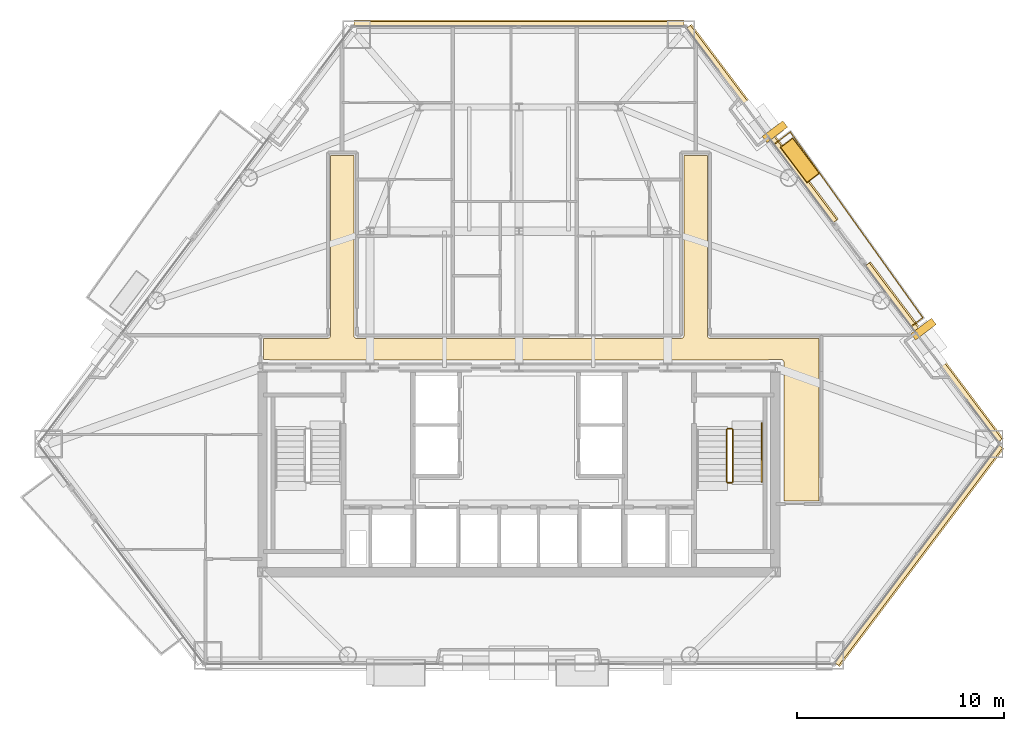
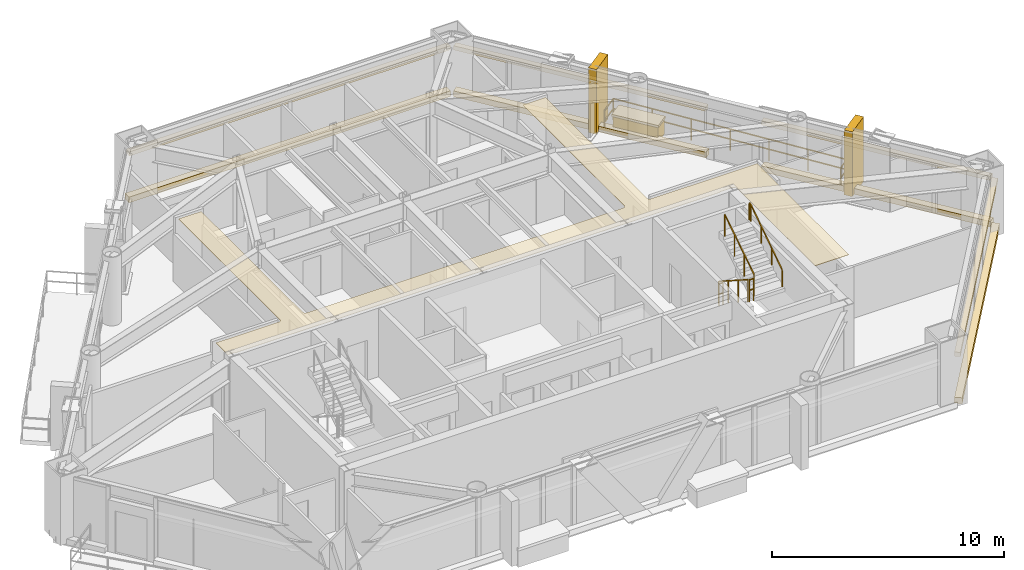
# One storey, part 11 of 11: 13 coverings, 6 railings.
"""IFC4 building model written with IfcOpenShell, lengths in metres."""

from ifc_helpers import new_model, si_unit, direction, frame, origin, origin_2d, place, context, subcontext, project, spatial, polyline, rectangle, outline, extrude, material, layer, layer_set, type_object, element, save


model = new_model("IFC4")

# Units and contexts
model_context = context("Model", 3, precision=1e-05, world=origin(), true_north=direction((0.0, 1.0)))
body_context = subcontext(model_context, "Body", "Model", "MODEL_VIEW")
ifc_project = project(units=[si_unit("LENGTHUNIT", "METRE"), si_unit("AREAUNIT", "SQUARE_METRE"), si_unit("VOLUMEUNIT", "CUBIC_METRE"), si_unit("PLANEANGLEUNIT", "RADIAN"), si_unit("MASSUNIT", "GRAM", prefix="KILO")], contexts=[model_context])

# Site, building, storey
site_placement = place(None, origin())
site = spatial("IfcSite", under=ifc_project, at=site_placement, CompositionType="ELEMENT")
building_placement = place(site_placement, origin())
building = spatial("IfcBuilding", under=site, at=building_placement, Name="Talgorran Terracotta Tower", CompositionType="ELEMENT")
storey_placement = place(building_placement, frame((0.0, 0.0, 38.699951171875)))
storey = spatial("IfcBuildingStorey", under=building, at=storey_placement, Name="L09", CompositionType="ELEMENT", Elevation=38.699951171875)

# Coverings
ifc_material_1 = material(Name="Kiln-Fired Terracotta Ochre Ceramic", Category="masonry")
ifc_layer_1 = layer(ifc_material_1, 0.179931640625, Name="COV_BAGUETTE_TERRACOTTA_SCREEN")
ifc_layer_set_1 = layer_set([ifc_layer_1], Name="Kiln-Fired Terracotta Ochre Ceramic")
covering_type_1 = type_object("IfcCoveringType", Name="COV_BAGUETTE_TERRACOTTA_SCREEN", PredefinedType="CLADDING", material=ifc_layer_set_1)
covering_1_placement = place(storey_placement, frame((19.33154296875, -13.274169921875, 2.41015625), z_axis=(0.0, 0.0, 1.0), x_axis=(0.601633803014, 0.798772036986, 0.0)))
element("IfcCovering", 1, at=covering_1_placement, inside=storey, type_object=covering_type_1, Name="L09 Terracotta Baguette Solar Screen Assembly F2", PredefinedType="CLADDING", context=body_context, shape_type="SweptSolid", body=[
    extrude(rectangle(XDim=13.184326171875, YDim=0.260009765625, at=origin_2d()), origin(), (0.0, 0.0, 1.0), 0.219970703125),
])
covering_2_placement = place(storey_placement, frame((20.060791015625, -3.47900390625, 2.41015625), z_axis=(0.0, 0.0, 1.0), x_axis=(-0.601633803014, 0.798772036986, 0.0)))
element("IfcCovering", 2, at=covering_2_placement, inside=storey, type_object=covering_type_1, Name="L09 Terracotta Baguette Solar Screen Assembly F40", PredefinedType="CLADDING", context=body_context, shape_type="SweptSolid", body=[
    extrude(rectangle(XDim=10.6796875, YDim=0.260009765625, at=origin_2d()), origin(), (0.0, 0.0, 1.0), 0.219970703125),
])
covering_3_placement = place(storey_placement, frame((11.738525390625, 7.570556640625, 2.41015625), z_axis=(0.0, 0.0, 1.0), x_axis=(-0.601633803014, 0.798772036986, 0.0)))
element("IfcCovering", 3, at=covering_3_placement, inside=storey, type_object=covering_type_1, Name="L09 Terracotta Baguette Solar Screen Assembly F41", PredefinedType="CLADDING", context=body_context, shape_type="SweptSolid", body=[
    extrude(rectangle(XDim=11.78662109375, YDim=0.260009765625, at=origin_2d()), origin(), (0.0, 0.0, 1.0), 0.219970703125),
])
covering_4_placement = place(storey_placement, frame((0.0, 12.40576171875, 2.41015625), z_axis=(0.0, 0.0, 1.0), x_axis=(-1.0, 0.0, 0.0)))
element("IfcCovering", 4, at=covering_4_placement, inside=storey, type_object=covering_type_1, Name="L09 Terracotta Baguette Solar Screen Assembly F4", PredefinedType="CLADDING", context=body_context, shape_type="SweptSolid", body=[
    extrude(rectangle(XDim=15.953857421875, YDim=0.260009765625, at=origin_2d()), origin(), (0.0, 0.0, 1.0), 0.219970703125),
])
ifc_material_2 = material(Name="Mineral Fibre Acoustic Tile")
ifc_layer_2 = layer(ifc_material_2, 0.02490234375, Name="COV_CEIL_ACOUSTIC")
ifc_layer_set_2 = layer_set([ifc_layer_2], Name="Mineral Fibre Acoustic Tile")
covering_type_2 = type_object("IfcCoveringType", Name="COV_CEIL_ACOUSTIC", PredefinedType="CEILING", material=ifc_layer_set_2)
covering_5_placement = place(storey_placement, frame((0.0, 0.0, 3.260009765625)))
element("IfcCovering", 5, at=covering_5_placement, inside=storey, type_object=covering_type_2, Name="CEIL-L09-2", PredefinedType="CEILING", context=body_context, shape_type="SweptSolid", body=[
    extrude(outline(polyline([(-12.034423828125, -3.844970703125), (-12.03515625, -3.843994140625), (-12.0439453125, -3.836181640625), (-12.05322265625, -3.8291015625), (-12.0634765625, -3.8232421875), (-12.07421875, -3.818115234375), (-12.085205078125, -3.814208984375), (-12.0966796875, -3.811279296875), (-12.108154296875, -3.8095703125), (-12.1201171875, -3.80908203125), (-12.364990234375, -3.80908203125), (-12.364990234375, -2.784912109375), (-9.25, -2.784912109375), (-9.23828125, -2.784423828125), (-9.226806640625, -2.78271484375), (-9.21533203125, -2.77978515625), (-9.20703125, -2.77734375), (-9.196044921875, -2.7734375), (-9.185302734375, -2.768310546875), (-9.17529296875, -2.762451171875), (-9.165771484375, -2.75537109375), (-9.156982421875, -2.74755859375), (-9.149169921875, -2.73876953125), (-9.1435546875, -2.73193359375), (-9.136474609375, -2.722412109375), (-9.13037109375, -2.71240234375), (-9.125244140625, -2.70166015625), (-9.121337890625, -2.690673828125), (-9.118408203125, -2.67919921875), (-9.11669921875, -2.66748046875), (-9.1162109375, -2.65576171875), (-9.114990234375, 6.06494140625), (-7.985107421875, 6.06494140625), (-7.985107421875, -2.64990234375), (-7.984375, -2.66162109375), (-7.982666015625, -2.67333984375), (-7.97998046875, -2.6845703125), (-7.977294921875, -2.69287109375), (-7.973388671875, -2.7041015625), (-7.968505859375, -2.714599609375), (-7.96240234375, -2.724853515625), (-7.955322265625, -2.734375), (-7.947509765625, -2.742919921875), (-7.938720703125, -2.7509765625), (-7.931884765625, -2.756591796875), (-7.922607421875, -2.763671875), (-7.912353515625, -2.769775390625), (-7.901611328125, -2.774658203125), (-7.890625, -2.77880859375), (-7.879150390625, -2.781494140625), (-7.867431640625, -2.783203125), (-7.855712890625, -2.783935546875), (7.85009765625, -2.784912109375), (7.86181640625, -2.784423828125), (7.873291015625, -2.78271484375), (7.884521484375, -2.77978515625), (7.892822265625, -2.77734375), (7.904052734375, -2.7734375), (7.914794921875, -2.768310546875), (7.9248046875, -2.762451171875), (7.934326171875, -2.75537109375), (7.943115234375, -2.74755859375), (7.950927734375, -2.73876953125), (7.95654296875, -2.73193359375), (7.963623046875, -2.722412109375), (7.9697265625, -2.71240234375), (7.974609375, -2.70166015625), (7.978759765625, -2.690673828125), (7.981689453125, -2.67919921875), (7.9833984375, -2.66748046875), (7.98388671875, -2.65576171875), (7.985107421875, 6.06494140625), (9.114990234375, 6.06494140625), (9.114990234375, -2.64990234375), (9.115478515625, -2.66162109375), (9.1171875, -2.67333984375), (9.1201171875, -2.6845703125), (9.12255859375, -2.69287109375), (9.12646484375, -2.7041015625), (9.131591796875, -2.714599609375), (9.1376953125, -2.724853515625), (9.14453125, -2.734375), (9.152587890625, -2.742919921875), (9.1611328125, -2.7509765625), (9.16796875, -2.756591796875), (9.177490234375, -2.763671875), (9.1875, -2.769775390625), (9.1982421875, -2.774658203125), (9.20947265625, -2.77880859375), (9.220703125, -2.781494140625), (9.232421875, -2.783203125), (9.244384765625, -2.783935546875), (14.514892578125, -2.784912109375), (14.514892578125, -10.6650390625), (12.8349609375, -10.6650390625), (12.834716796875, -3.97705078125), (12.833984375, -3.96533203125), (12.83251953125, -3.953857421875), (12.82958984375, -3.9423828125), (12.82568359375, -3.931396484375), (12.820556640625, -3.920654296875), (12.81640625, -3.9130859375), (12.810302734375, -3.90283203125), (12.803466796875, -3.893310546875), (12.79541015625, -3.884521484375), (12.78857421875, -3.87841796875), (12.785888671875, -3.872314453125), (12.77978515625, -3.8623046875), (12.772705078125, -3.852783203125), (12.764892578125, -3.843994140625), (12.756103515625, -3.836181640625), (12.74658203125, -3.8291015625), (12.736572265625, -3.8232421875), (12.725830078125, -3.818115234375), (12.71484375, -3.814208984375), (12.703369140625, -3.811279296875), (12.69189453125, -3.8095703125), (12.679931640625, -3.80908203125), (12.1201171875, -3.80908203125), (12.108154296875, -3.8095703125), (12.0966796875, -3.811279296875), (12.085205078125, -3.814208984375), (12.07421875, -3.818115234375), (12.0634765625, -3.8232421875), (12.05322265625, -3.8291015625), (12.0439453125, -3.836181640625), (12.03515625, -3.843994140625), (12.034423828125, -3.844970703125), (7.432861328125, -3.844970703125), (6.968017578125, -3.843017578125), (6.967529296875, -3.843017578125), (0.232666015625, -3.844970703125), (-0.23193359375, -3.843017578125), (-0.232421875, -3.843017578125), (-6.96728515625, -3.844970703125), (-7.431884765625, -3.843017578125), (-7.4326171875, -3.843017578125), (-12.034423828125, -3.844970703125)])), origin(), (0.0, 0.0, 1.0), 0.02001953125),
])
ifc_material_3 = material(Name="Honed Limestone and Terracotta Planter", Category="masonry")
ifc_layer_3 = layer(ifc_material_3, 0.1201171875, Name="COV_PLANTER_BOX")
ifc_layer_set_3 = layer_set([ifc_layer_3], Name="Honed Limestone and Terracotta Planter")
covering_type_3 = type_object("IfcCoveringType", Name="COV_PLANTER_BOX", PredefinedType="CLADDING", material=ifc_layer_set_3)
covering_6_placement = place(storey_placement, frame((13.595458984375, 5.828125, -0.02001953125), z_axis=(0.0, 0.0, 1.0), x_axis=(-0.601633803014, 0.798772036986, 0.0)))
element("IfcCovering", 6, at=covering_6_placement, inside=storey, type_object=covering_type_3, Name="L09 Staggered Balcony Planter Box BAL-NE", PredefinedType="CLADDING", context=body_context, shape_type="SweptSolid", body=[
    extrude(rectangle(XDim=2.10009765625, YDim=0.719970703125, at=origin_2d()), origin(), (0.0, 0.0, 1.0), 0.860107421875),
])
ifc_material_4 = material(Name="Kiln-Fired Terracotta Planter Rim", Category="masonry")
ifc_layer_4 = layer(ifc_material_4, 0.10009765625, Name="COV_PLANTER_RIM")
ifc_layer_set_4 = layer_set([ifc_layer_4], Name="Kiln-Fired Terracotta Planter Rim")
covering_type_4 = type_object("IfcCoveringType", Name="COV_PLANTER_RIM", PredefinedType="CLADDING", material=ifc_layer_set_4)
covering_7_placement = place(storey_placement, frame((13.595458984375, 5.828125, 0.800048828125), z_axis=(0.0, 0.0, 1.0), x_axis=(-0.601633803014, 0.798772036986, 0.0)))
element("IfcCovering", 7, at=covering_7_placement, inside=storey, type_object=covering_type_4, Name="L09 Balcony Planter Terracotta Rim BAL-NE", PredefinedType="CLADDING", context=body_context, shape_type="SweptSolid", body=[
    extrude(rectangle(XDim=2.179931640625, YDim=0.780029296875, at=origin_2d()), origin(), (0.0, 0.0, 1.0), 0.1201171875),
])
ifc_material_5 = material(Name="Honed Limestone Cladding", Category="masonry")
ifc_layer_5 = layer(ifc_material_5, 0.094970703125, Name="COV_PORTAL_LIME")
ifc_layer_set_5 = layer_set([ifc_layer_5], Name="Honed Limestone Cladding")
covering_type_5 = type_object("IfcCoveringType", Name="COV_PORTAL_LIME", PredefinedType="CLADDING", material=ifc_layer_set_5)
covering_8_placement = place(storey_placement, frame((19.578369140625, -2.339599609375, -0.0498046875), z_axis=(0.0, 0.0, 1.0), x_axis=(-0.601633803014, 0.798772036986, 0.0)))
element("IfcCovering", 8, at=covering_8_placement, inside=storey, type_object=covering_type_5, Name="L09 White Striped Portal Fin F3-1", PredefinedType="CLADDING", context=body_context, shape_type="SweptSolid", body=[
    extrude(rectangle(XDim=0.3798828125, YDim=1.25, at=origin_2d()), origin(), (0.0, 0.0, 1.0), 3.39990234375),
])
ifc_material_6 = material(Name="Kiln-Fired Terracotta Cladding", Category="masonry")
ifc_layer_6 = layer(ifc_material_6, 0.090087890625, Name="COV_PORTAL_TERRA")
ifc_layer_set_6 = layer_set([ifc_layer_6], Name="Kiln-Fired Terracotta Cladding")
covering_type_6 = type_object("IfcCoveringType", Name="COV_PORTAL_TERRA", PredefinedType="CLADDING", material=ifc_layer_set_6)
covering_9_placement = place(storey_placement, frame((19.36328125, -13.298095703125, -0.0400390625), z_axis=(0.0, 0.0, 1.0), x_axis=(0.601633803014, 0.798772036986, 0.0)))
element("IfcCovering", 9, at=covering_9_placement, inside=storey, type_object=covering_type_6, Name="L09 Striped Postmodern Portal Cladding Band F2", PredefinedType="CLADDING", context=body_context, shape_type="SweptSolid", body=[
    extrude(rectangle(XDim=13.204345703125, YDim=0.340087890625, at=origin_2d()), origin(), (0.0, 0.0, 1.0), 0.300048828125),
])
covering_10_placement = place(storey_placement, frame((20.0927734375, -3.454833984375, -0.0400390625), z_axis=(0.0, 0.0, 1.0), x_axis=(-0.601633803014, 0.798772036986, 0.0)))
element("IfcCovering", 10, at=covering_10_placement, inside=storey, type_object=covering_type_6, Name="L09 Striped Postmodern Portal Cladding Band F40", PredefinedType="CLADDING", context=body_context, shape_type="SweptSolid", body=[
    extrude(rectangle(XDim=10.69970703125, YDim=0.340087890625, at=origin_2d()), origin(), (0.0, 0.0, 1.0), 0.300048828125),
])
covering_11_placement = place(storey_placement, frame((11.7705078125, 7.594482421875, -0.0400390625), z_axis=(0.0, 0.0, 1.0), x_axis=(-0.601633803014, 0.798772036986, 0.0)))
element("IfcCovering", 11, at=covering_11_placement, inside=storey, type_object=covering_type_6, Name="L09 Striped Postmodern Portal Cladding Band F41", PredefinedType="CLADDING", context=body_context, shape_type="SweptSolid", body=[
    extrude(rectangle(XDim=11.806396484375, YDim=0.340087890625, at=origin_2d()), origin(), (0.0, 0.0, 1.0), 0.300048828125),
])
covering_12_placement = place(storey_placement, frame((0.0, 12.44580078125, -0.0400390625), z_axis=(0.0, 0.0, 1.0), x_axis=(-1.0, 0.0, 0.0)))
element("IfcCovering", 12, at=covering_12_placement, inside=storey, type_object=covering_type_6, Name="L09 Striped Postmodern Portal Cladding Band F4", PredefinedType="CLADDING", context=body_context, shape_type="SweptSolid", body=[
    extrude(rectangle(XDim=15.973876953125, YDim=0.340087890625, at=origin_2d()), origin(), (0.0, 0.0, 1.0), 0.300048828125),
])
covering_13_placement = place(storey_placement, frame((12.3857421875, 7.2099609375, -0.0498046875), z_axis=(0.0, 0.0, 1.0), x_axis=(-0.601633803014, 0.798772036986, 0.0)))
element("IfcCovering", 13, at=covering_13_placement, inside=storey, type_object=covering_type_6, Name="L09 Terracotta Striped Portal Fin F3-2", PredefinedType="CLADDING", context=body_context, shape_type="SweptSolid", body=[
    extrude(rectangle(XDim=0.3798828125, YDim=1.25, at=origin_2d()), origin(), (0.0, 0.0, 1.0), 3.39990234375),
])

# Railings
ifc_material_7 = material(Name="Laminated Glass and Stainless Steel 316", Category="steel")
railing_type_1 = type_object("IfcRailingType", Name="RL_BALCONY_1150", PredefinedType="BALUSTRADE", material=ifc_material_7)
railing_1_placement = place(storey_placement, frame((18.9970703125, -2.19970703125, 0.0)))
element("IfcRailing", 14, at=railing_1_placement, inside=storey, type_object=railing_type_1, Name="RL-L09-BAL-BAL-NE", PredefinedType="BALUSTRADE", context=body_context, shape_type="SweptSolid", body=[
    extrude(rectangle(XDim=0.048095703125, YDim=0.048095703125, at=origin_2d()), frame((0.0, 0.0, 1.1259765625), z_axis=(0.798757916784, 0.601652549546, 0.0), x_axis=(-0.601652549546, 0.798757916784, 0.0)), (0.0, 0.0, 1.0), 0.68505859375),
    extrude(rectangle(XDim=0.048095703125, YDim=0.048095703125, at=origin_2d()), frame((0.0, 0.0, 0.597900390625), z_axis=(0.798757916784, 0.601652549546, 0.0), x_axis=(-0.601652549546, 0.798757916784, 0.0)), (0.0, 0.0, 1.0), 0.68505859375),
    extrude(rectangle(XDim=0.048095703125, YDim=0.048095703125, at=origin_2d()), frame((0.547119140625, 0.412109375, 1.1259765625), z_axis=(-0.580959834341, 0.81393222745, 0.0), x_axis=(-0.81393222745, -0.580959834341, 0.0)), (0.0, 0.0, 1.0), 11.035888671875),
    extrude(rectangle(XDim=0.048095703125, YDim=0.048095703125, at=origin_2d()), frame((0.547119140625, 0.412109375, 0.597900390625), z_axis=(-0.580959834341, 0.81393222745, 0.0), x_axis=(-0.81393222745, -0.580959834341, 0.0)), (0.0, 0.0, 1.0), 11.035888671875),
    extrude(rectangle(XDim=0.048095703125, YDim=0.048095703125, at=origin_2d()), frame((-5.8642578125, 9.39453125, 1.1259765625), z_axis=(-0.798726699354, -0.601693991775, 0.0), x_axis=(0.601693991775, -0.798726699354, 0.0)), (0.0, 0.0, 1.0), 0.9677734375),
    extrude(rectangle(XDim=0.048095703125, YDim=0.048095703125, at=origin_2d()), frame((-5.8642578125, 9.39453125, 0.597900390625), z_axis=(-0.798726699354, -0.601693991775, 0.0), x_axis=(0.601693991775, -0.798726699354, 0.0)), (0.0, 0.0, 1.0), 0.9677734375),
    extrude(rectangle(XDim=0.0419921875, YDim=0.0419921875, at=origin_2d()), origin(), (0.0, 0.0, 1.0), 1.101806640625),
    extrude(rectangle(XDim=0.0419921875, YDim=0.0419921875, at=origin_2d()), frame((0.547119140625, 0.412109375, 0.0)), (0.0, 0.0, 1.0), 1.101806640625),
    extrude(rectangle(XDim=0.0419921875, YDim=0.0419921875, at=origin_2d()), frame((-0.521484375, 1.9091796875, 0.0)), (0.0, 0.0, 1.0), 1.101806640625),
    extrude(rectangle(XDim=0.0419921875, YDim=0.0419921875, at=origin_2d()), frame((-1.590087890625, 3.40625, 0.0)), (0.0, 0.0, 1.0), 1.101806640625),
    extrude(rectangle(XDim=0.0419921875, YDim=0.0419921875, at=origin_2d()), frame((-2.65869140625, 4.9033203125, 0.0)), (0.0, 0.0, 1.0), 1.101806640625),
    extrude(rectangle(XDim=0.0419921875, YDim=0.0419921875, at=origin_2d()), frame((-3.72705078125, 6.400390625, 0.0)), (0.0, 0.0, 1.0), 1.101806640625),
    extrude(rectangle(XDim=0.0419921875, YDim=0.0419921875, at=origin_2d()), frame((-4.795654296875, 7.8974609375, 0.0)), (0.0, 0.0, 1.0), 1.101806640625),
    extrude(rectangle(XDim=0.0419921875, YDim=0.0419921875, at=origin_2d()), frame((-5.8642578125, 9.39453125, 0.0)), (0.0, 0.0, 1.0), 1.101806640625),
    extrude(rectangle(XDim=0.0419921875, YDim=0.0419921875, at=origin_2d()), frame((-6.63720703125, 8.812255859375, 0.0)), (0.0, 0.0, 1.0), 1.101806640625),
])
ifc_material_8 = material(Name="Steel S355 (300PLUS)", Category="steel")
railing_type_2 = type_object("IfcRailingType", Name="RL_HANDRAIL_920", PredefinedType="HANDRAIL", material=ifc_material_8)
railing_2_placement = place(storey_placement, frame((11.75, -9.719970703125, 1.97998046875)))
element("IfcRailing", 15, at=railing_2_placement, inside=storey, type_object=railing_type_2, Name="L09 ST-02 stair handrail 2", PredefinedType="HANDRAIL", context=body_context, shape_type="SweptSolid", body=[
    extrude(rectangle(XDim=0.048095703125, YDim=0.048095703125, at=origin_2d()), frame((0.0, 0.0, 0.89599609375), z_axis=(0.0, 0.832038719335, 0.554717558338), x_axis=(-1.0, 0.0, 0.0)), (0.0, 0.0, 1.0), 3.244873046875),
    extrude(rectangle(XDim=0.048095703125, YDim=0.048095703125, at=origin_2d()), frame((0.0, 2.699951171875, 2.69580078125), z_axis=(0.0, 1.0, 0.0), x_axis=(-1.0, 0.0, 0.0)), (0.0, 0.0, 1.0), 0.1201171875),
    extrude(rectangle(XDim=0.0419921875, YDim=0.0419921875, at=origin_2d()), origin(), (0.0, 0.0, 1.0), 0.871826171875),
    extrude(rectangle(XDim=0.0419921875, YDim=0.0419921875, at=origin_2d()), frame((0.0, 0.89990234375, 0.60009765625)), (0.0, 0.0, 1.0), 0.871826171875),
    extrude(rectangle(XDim=0.0419921875, YDim=0.0419921875, at=origin_2d()), frame((0.0, 1.800048828125, 1.199951171875)), (0.0, 0.0, 1.0), 0.871826171875),
    extrude(rectangle(XDim=0.0419921875, YDim=0.0419921875, at=origin_2d()), frame((0.0, 2.699951171875, 1.800048828125)), (0.0, 0.0, 1.0), 0.871826171875),
    extrude(rectangle(XDim=0.0419921875, YDim=0.0419921875, at=origin_2d()), frame((0.0, 2.820068359375, 1.800048828125)), (0.0, 0.0, 1.0), 0.871826171875),
])
railing_type_3 = type_object("IfcRailingType", Name="RL_STAIR_GUARD", PredefinedType="GUARDRAIL", material=ifc_material_8)
railing_3_placement = place(storey_placement, frame((10.050048828125, -7.199951171875, 0.179931640625)))
element("IfcRailing", 16, at=railing_3_placement, inside=storey, type_object=railing_type_3, Name="L09 ST-02 stair guard 1", PredefinedType="GUARDRAIL", context=body_context, shape_type="SweptSolid", body=[
    extrude(rectangle(XDim=0.048095703125, YDim=0.048095703125, at=origin_2d()), frame((0.0, 0.0, 1.15576171875), z_axis=(0.0, -0.841162588446, 0.540782303519), x_axis=(1.0, 0.0, 0.0)), (0.0, 0.0, 1.0), 2.995849609375),
    extrude(rectangle(XDim=0.0419921875, YDim=0.0419921875, at=origin_2d()), origin(), (0.0, 0.0, 1.0), 1.1318359375),
    extrude(rectangle(XDim=0.0419921875, YDim=0.0419921875, at=origin_2d()), frame((0.0, -0.840087890625, 0.5400390625)), (0.0, 0.0, 1.0), 1.1318359375),
    extrude(rectangle(XDim=0.0419921875, YDim=0.0419921875, at=origin_2d()), frame((0.0, -1.679931640625, 1.080078125)), (0.0, 0.0, 1.0), 1.1318359375),
    extrude(rectangle(XDim=0.0419921875, YDim=0.0419921875, at=origin_2d()), frame((0.0, -2.52001953125, 1.6201171875)), (0.0, 0.0, 1.0), 1.1318359375),
])
railing_4_placement = place(storey_placement, frame((10.10009765625, -9.77001953125, 1.800048828125)))
element("IfcRailing", 17, at=railing_4_placement, inside=storey, type_object=railing_type_3, Name="L09 ST-02 stair guard 2", PredefinedType="GUARDRAIL", context=body_context, shape_type="SweptSolid", body=[
    extrude(rectangle(XDim=0.048095703125, YDim=0.048095703125, at=origin_2d()), frame((0.0, 0.0, 1.15576171875), z_axis=(1.0, 0.0, 0.0), x_axis=(0.0, 1.0, 0.0)), (0.0, 0.0, 1.0), 0.199951171875),
    extrude(rectangle(XDim=0.048095703125, YDim=0.048095703125, at=origin_2d()), frame((0.0, 0.0, 0.613525390625), z_axis=(1.0, 0.0, 0.0), x_axis=(0.0, 1.0, 0.0)), (0.0, 0.0, 1.0), 0.199951171875),
    extrude(rectangle(XDim=0.0419921875, YDim=0.0419921875, at=origin_2d()), origin(), (0.0, 0.0, 1.0), 1.1318359375),
    extrude(rectangle(XDim=0.0419921875, YDim=0.0419921875, at=origin_2d()), frame((0.199951171875, 0.0, 0.0)), (0.0, 0.0, 1.0), 1.1318359375),
])
railing_5_placement = place(storey_placement, frame((10.35009765625, -9.719970703125, 1.97998046875)))
element("IfcRailing", 18, at=railing_5_placement, inside=storey, type_object=railing_type_3, Name="L09 ST-02 stair guard 3", PredefinedType="GUARDRAIL", context=body_context, shape_type="SweptSolid", body=[
    extrude(rectangle(XDim=0.048095703125, YDim=0.048095703125, at=origin_2d()), frame((0.0, 0.0, 1.15576171875), z_axis=(0.0, 0.841162588446, 0.540782303519), x_axis=(-1.0, 0.0, 0.0)), (0.0, 0.0, 1.0), 2.995849609375),
    extrude(rectangle(XDim=0.0419921875, YDim=0.0419921875, at=origin_2d()), origin(), (0.0, 0.0, 1.0), 1.1318359375),
    extrude(rectangle(XDim=0.0419921875, YDim=0.0419921875, at=origin_2d()), frame((0.0, 0.840087890625, 0.5400390625)), (0.0, 0.0, 1.0), 1.1318359375),
    extrude(rectangle(XDim=0.0419921875, YDim=0.0419921875, at=origin_2d()), frame((0.0, 1.679931640625, 1.080078125)), (0.0, 0.0, 1.0), 1.1318359375),
    extrude(rectangle(XDim=0.0419921875, YDim=0.0419921875, at=origin_2d()), frame((0.0, 2.52001953125, 1.6201171875)), (0.0, 0.0, 1.0), 1.1318359375),
])
railing_6_placement = place(storey_placement, frame((10.10009765625, -7.14990234375, 0.0)))
element("IfcRailing", 19, at=railing_6_placement, inside=storey, type_object=railing_type_3, Name="L09 ST-02 stair guard 4", PredefinedType="GUARDRAIL", context=body_context, shape_type="SweptSolid", body=[
    extrude(rectangle(XDim=0.048095703125, YDim=0.048095703125, at=origin_2d()), frame((0.0, 0.0, 1.15576171875), z_axis=(1.0, 0.0, 0.0), x_axis=(0.0, 1.0, 0.0)), (0.0, 0.0, 1.0), 0.199951171875),
    extrude(rectangle(XDim=0.048095703125, YDim=0.048095703125, at=origin_2d()), frame((0.0, 0.0, 0.613525390625), z_axis=(1.0, 0.0, 0.0), x_axis=(0.0, 1.0, 0.0)), (0.0, 0.0, 1.0), 0.199951171875),
    extrude(rectangle(XDim=0.0419921875, YDim=0.0419921875, at=origin_2d()), origin(), (0.0, 0.0, 1.0), 1.1318359375),
    extrude(rectangle(XDim=0.0419921875, YDim=0.0419921875, at=origin_2d()), frame((0.199951171875, 0.0, 0.0)), (0.0, 0.0, 1.0), 1.1318359375),
])

save(model, "model.ifc")
